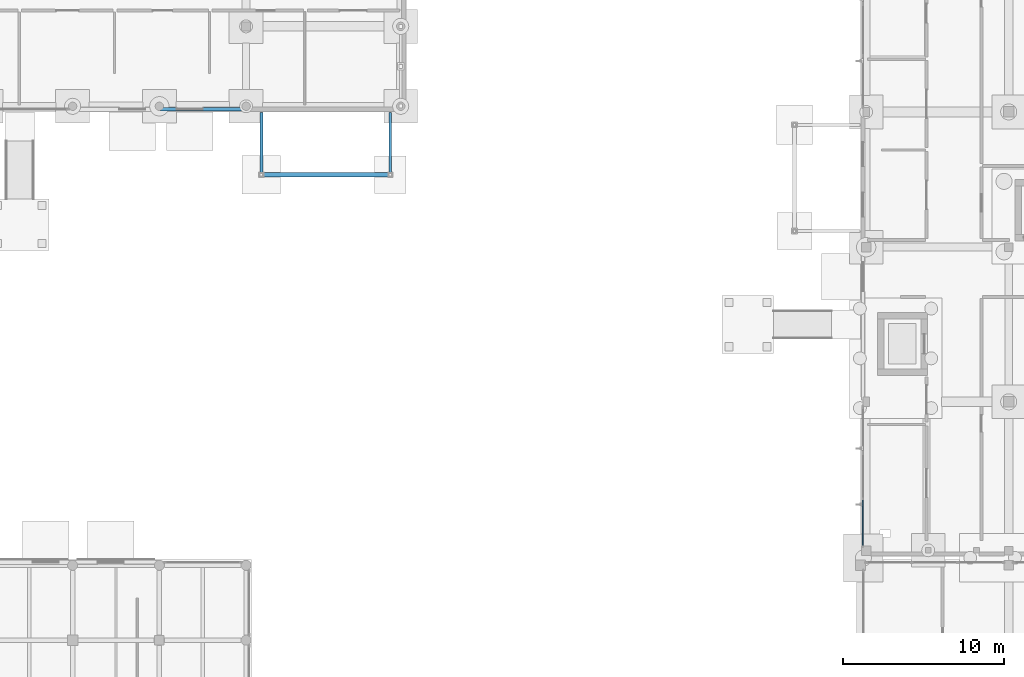
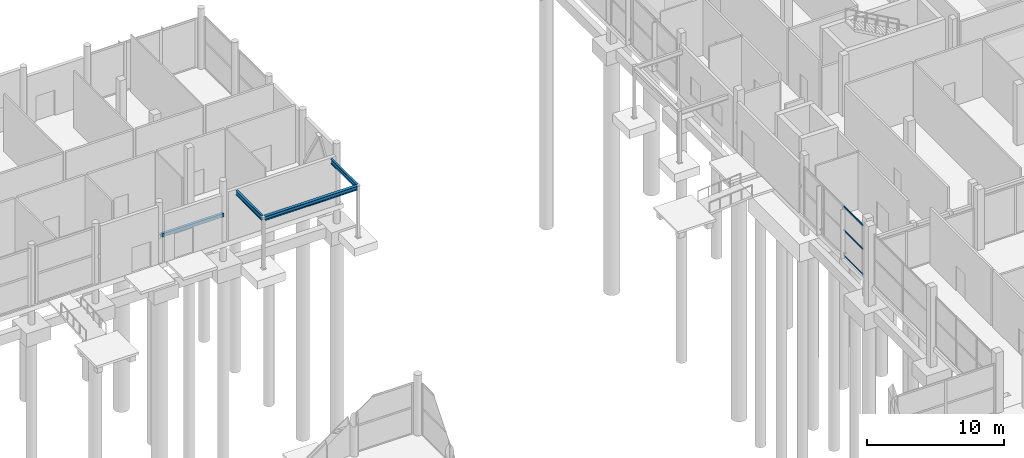
# One storey, part 36 of 88: 4 beams, 3 members, 1 element without a shape of its own.
"""IFC4 building model written with IfcOpenShell, lengths in metres."""

import ifcopenshell
import ifcopenshell.guid

model = None  # the IFC model being written
_history = None  # IfcOwnerHistory: only IFC2X3 demands one
_inside = {}  # id of a spatial element -> (the spatial element, [elements in it])
_under = {}  # id of a project, library or spatial element -> (it, [spatial elements below it])
_declared = {}  # id of a project -> (the project, [libraries it declares])
_typed = {}  # id of a type object -> (the type object, [elements of that type])
_made_of = {}  # id of a material, layer set ... -> (it, [elements and type objects made of it])


def new_model(schema):
    """Start an empty IFC model of exactly this schema.

    Asked for "IFC4X3", IfcOpenShell would pick the latest addendum, in which some entities
    have other attributes; the version numbers below select the first issue.
    IFC2X3 requires an IfcOwnerHistory on every rooted entity: one is made here for all.
    """
    global model, _history
    if schema == "IFC4X3":
        model = ifcopenshell.file(schema_version=(4, 3, 0, 0))
    else:
        model = ifcopenshell.file(schema=schema)
    _inside.clear()
    _under.clear()
    _declared.clear()
    _typed.clear()
    _made_of.clear()
    _history = None
    if model.schema == "IFC2X3":
        org = make("IfcOrganization", Name="unknown")
        user = make(
            "IfcPersonAndOrganization",
            ThePerson=make("IfcPerson", FamilyName="unknown"),
            TheOrganization=org,
        )
        app = make(
            "IfcApplication",
            ApplicationDeveloper=org,
            Version="unknown",
            ApplicationFullName="unknown",
            ApplicationIdentifier="unknown",
        )
        _history = make(
            "IfcOwnerHistory",
            OwningUser=user,
            OwningApplication=app,
            ChangeAction="ADDED",
            CreationDate=0,
        )
    return model


def make(cls, **values):
    """One entity of the class cls with the attributes given. An attribute that is None is left unset."""
    return model.create_entity(
        cls, **{name: value for name, value in values.items() if value is not None}
    )


def rooted(cls, **values):
    """An entity with a GlobalId (a new one), such as an element, a storey or a relation."""
    return make(cls, GlobalId=ifcopenshell.guid.new(), OwnerHistory=_history, **values)


def si_unit(unit_type, name, prefix=None):
    """IfcSIUnit, for example si_unit("LENGTHUNIT", "METRE", prefix="MILLI")."""
    return make("IfcSIUnit", UnitType=unit_type, Prefix=prefix, Name=name)


def assignment(units):
    """IfcUnitAssignment: the units of a project."""
    return None if units is None else make("IfcUnitAssignment", Units=units)


def point(xyz):
    """IfcCartesianPoint."""
    return None if xyz is None else make("IfcCartesianPoint", Coordinates=xyz)


def direction(xyz):
    """IfcDirection."""
    return None if xyz is None else make("IfcDirection", DirectionRatios=xyz)


def frame(location, z_axis=None, x_axis=None):
    """IfcAxis2Placement3D, a coordinate frame: its origin and axes. An axis left out is left unset."""
    return make(
        "IfcAxis2Placement3D",
        Location=point(location),
        Axis=direction(z_axis),
        RefDirection=direction(x_axis),
    )


def frame_2d(location, x_axis=None):
    """IfcAxis2Placement2D, a coordinate frame in the plane: its origin and x axis."""
    return make(
        "IfcAxis2Placement2D", Location=point(location), RefDirection=direction(x_axis)
    )


def origin():
    """The frame at (0, 0, 0) with its axes left unset."""
    return frame((0.0, 0.0, 0.0))


def origin_2d():
    """The frame at (0, 0) in the plane with its x axis left unset."""
    return frame_2d((0.0, 0.0))


def place(relative_to, where):
    """IfcLocalPlacement: puts the frame where relative to a parent placement (None: the world)."""
    return make(
        "IfcLocalPlacement", PlacementRelTo=relative_to, RelativePlacement=where
    )


def context(
    kind, dimensions, precision=None, world=None, true_north=None, identifier=None
):
    """IfcGeometricRepresentationContext, for example the 3D "Model" context."""
    return make(
        "IfcGeometricRepresentationContext",
        ContextIdentifier=identifier,
        ContextType=kind,
        CoordinateSpaceDimension=dimensions,
        Precision=precision,
        WorldCoordinateSystem=world,
        TrueNorth=true_north,
    )


def subcontext(parent, identifier, kind, view, scale=None):
    """IfcGeometricRepresentationSubContext, for example "Body" below "Model"."""
    return make(
        "IfcGeometricRepresentationSubContext",
        ContextIdentifier=identifier,
        ContextType=kind,
        ParentContext=parent,
        TargetScale=scale,
        TargetView=view,
    )


def project(units=None, contexts=None):
    """IfcProject with its units and contexts."""
    return rooted(
        "IfcProject",
        Name="project",
        RepresentationContexts=contexts,
        UnitsInContext=assignment(units),
    )


def spatial(cls, under=None, at=None, **own):
    """A site, building, storey or space (cls), placed at a placement, below another one or the project."""
    s = rooted(cls, ObjectPlacement=at, **own)
    if under is not None:
        _under.setdefault(under.id(), (under, []))[1].append(s)
    return s


def profile(cls, at=None, kind="AREA", **sizes):
    """A parametric profile (cls). Its sizes go by their IFC names, for example OverallWidth=200.0."""
    return make(cls, ProfileType=kind, Position=at, **sizes)


def rectangle(**sizes):
    """IfcRectangleProfileDef."""
    return profile("IfcRectangleProfileDef", **sizes)


def i_section(**sizes):
    """IfcIShapeProfileDef."""
    return profile("IfcIShapeProfileDef", **sizes)


def extrude(swept, where, along, depth):
    """IfcExtrudedAreaSolid: the profile swept, set in the frame where, extruded along a direction by depth."""
    return make(
        "IfcExtrudedAreaSolid",
        SweptArea=swept,
        Position=where,
        ExtrudedDirection=direction(along),
        Depth=depth,
    )


def shape(context_of_items, identifier, shape_type, items):
    """IfcShapeRepresentation: the items that make up one representation, for example the "Body"."""
    return make(
        "IfcShapeRepresentation",
        ContextOfItems=context_of_items,
        RepresentationIdentifier=identifier,
        RepresentationType=shape_type,
        Items=items,
    )


def material(Name=None, Category=None):
    """IfcMaterial."""
    return make("IfcMaterial", Name=Name, Category=Category)


def layer(
    of_material, thickness, ventilated=None, Name=None, Category=None, Priority=None
):
    """IfcMaterialLayer: one layer of a wall or slab, of a material (None: an air gap)."""
    return make(
        "IfcMaterialLayer",
        Material=of_material,
        LayerThickness=thickness,
        IsVentilated=ventilated,
        Name=Name,
        Category=Category,
        Priority=Priority,
    )


def layer_set(layers, Name=None):
    """IfcMaterialLayerSet."""
    return make("IfcMaterialLayerSet", MaterialLayers=layers, LayerSetName=Name)


def material_profile(
    of_material, cross_section, Name=None, Category=None, Priority=None
):
    """IfcMaterialProfile: a cross section and its material."""
    return make(
        "IfcMaterialProfile",
        Name=Name,
        Material=of_material,
        Profile=cross_section,
        Priority=Priority,
        Category=Category,
    )


def profile_set(profiles, Name=None, composite=None):
    """IfcMaterialProfileSet."""
    return make(
        "IfcMaterialProfileSet",
        Name=Name,
        MaterialProfiles=profiles,
        CompositeProfile=composite,
    )


def made_of(thing, what):
    """Note that an element or type object is made of a material, layer set ...; save() writes the relation."""
    if what is not None:
        _made_of.setdefault(what.id(), (what, []))[1].append(thing)
    return thing


def type_object(cls, material=None, **own):
    """A type object (cls), such as IfcWallType, which elements share."""
    return made_of(rooted(cls, **own), material)


def element(
    cls,
    number,
    at=None,
    inside=None,
    cuts=None,
    type_object=None,
    material=None,
    context=None,
    identifier="Body",
    shape_type=None,
    held_by="IfcProductDefinitionShape",
    body=None,
    shapes=None,
    **own,
):
    """One element of the class cls, such as IfcWall. Its Tag is "e" and its number.

    at: its placement. inside: the storey or other place that contains it. cuts: it is an
    opening in that element (IfcRelVoidsElement). A single representation is given by context,
    identifier, shape_type and body (its items); several are given by shapes. held_by: the class
    of the entity that holds the representations. save() writes the other relations.
    """
    e = rooted(cls, Tag="e%d" % number, ObjectPlacement=at, **own)
    if body is not None:
        shapes = [shape(context, identifier, shape_type, body)]
    if shapes is not None:
        e.Representation = make(held_by, Representations=shapes)
    if inside is not None:
        _inside.setdefault(inside.id(), (inside, []))[1].append(e)
    if cuts is not None:
        rooted(
            "IfcRelVoidsElement", RelatingBuildingElement=cuts, RelatedOpeningElement=e
        )
    if type_object is not None:
        _typed.setdefault(type_object.id(), (type_object, []))[1].append(e)
    return made_of(e, material)


def aggregate(whole, parts):
    """IfcRelAggregates: a whole, such as a stair, and the parts it consists of."""
    return rooted("IfcRelAggregates", RelatingObject=whole, RelatedObjects=parts)


def save(model, path):
    """Write the relations noted so far, then the file.

    IfcRelAggregates (storeys below a building ...), IfcRelContainedInSpatialStructure (elements
    in a storey), IfcRelDefinesByType, IfcRelAssociatesMaterial and IfcRelDeclares: one each for
    every whole, place, type object, material and project.
    """
    for whole, parts in _under.values():
        aggregate(whole, parts)
    for where, things in _inside.values():
        rooted(
            "IfcRelContainedInSpatialStructure",
            RelatedElements=things,
            RelatingStructure=where,
        )
    for kind, things in _typed.values():
        rooted("IfcRelDefinesByType", RelatedObjects=things, RelatingType=kind)
    for what, things in _made_of.values():
        rooted("IfcRelAssociatesMaterial", RelatedObjects=things, RelatingMaterial=what)
    for by, libraries in _declared.values():
        rooted("IfcRelDeclares", RelatingContext=by, RelatedDefinitions=libraries)
    model.write(path)


model = new_model("IFC4")

# Units and contexts
model_context = context("Model", 3, precision=1e-05, world=origin(), true_north=direction((0.0, 1.0)))
body_context = subcontext(model_context, "Body", "Model", "MODEL_VIEW")
ifc_project = project(units=[si_unit("LENGTHUNIT", "METRE"), si_unit("AREAUNIT", "SQUARE_METRE"), si_unit("VOLUMEUNIT", "CUBIC_METRE"), si_unit("PLANEANGLEUNIT", "RADIAN"), si_unit("MASSUNIT", "GRAM", prefix="KILO")], contexts=[model_context])

# Site, building, storey
site_placement = place(None, origin())
site = spatial("IfcSite", under=ifc_project, at=site_placement, CompositionType="ELEMENT")
building_placement = place(site_placement, origin())
building = spatial("IfcBuilding", under=site, at=building_placement, Name="Birchvale Park Specialist Clinic", CompositionType="ELEMENT")
storey_placement = place(building_placement, origin())
storey = spatial("IfcBuildingStorey", under=building, at=storey_placement, Name="L00", CompositionType="ELEMENT", Elevation=0.0)

# Curtain wall, members
ifc_material_1 = material(Name="Thermally broken anodised aluminium", Category="aluminium")
ifc_layer = layer(ifc_material_1, 0.2099609375)
ifc_layer_set = layer_set([ifc_layer], Name="Thermally broken anodised aluminium")
curtain_wall_type = type_object("IfcCurtainWallType", Name="CW-U3", PredefinedType="USERDEFINED", material=ifc_layer_set)
curtain_wall_placement = place(storey_placement, origin())
curtain_wall = element("IfcCurtainWall", 1, at=curtain_wall_placement, inside=storey, type_object=curtain_wall_type, Name="V6 L00 glazed curtain wall 67", ObjectType="UNITISED", PredefinedType="USERDEFINED")
ifc_material_profile_1 = material_profile(ifc_material_1, rectangle(XDim=0.070068359375, YDim=0.14990234375, at=origin_2d()), Name="CWT-70x150")
ifc_profile_set_1 = profile_set([ifc_material_profile_1], Name="Thermally broken anodised aluminium")
member_type = type_object("IfcMemberType", Name="CWT3", PredefinedType="USERDEFINED", material=ifc_profile_set_1)
member_1_placement = place(storey_placement, frame((128.14501953125, 67.094970703125, 0.034912109375), z_axis=(0.0, -1.0, 0.0), x_axis=(1.0, 0.0, 0.0)))
member_1 = element("IfcMember", 2, at=member_1_placement, type_object=member_type, Name="CW transom 3.1", ObjectType="TRANSOM", PredefinedType="USERDEFINED", context=body_context, shape_type="SweptSolid", body=[
    extrude(rectangle(XDim=0.070068359375, YDim=0.14990234375, at=origin_2d()), origin(), (0.0, 0.0, 1.0), 2.784912109375),
])
member_2_placement = place(storey_placement, frame((128.14501953125, 67.094970703125, 2.311279296875), z_axis=(0.0, -1.0, 0.0), x_axis=(1.0, 0.0, 0.0)))
member_2 = element("IfcMember", 3, at=member_2_placement, type_object=member_type, Name="CW transom 3.2", ObjectType="TRANSOM", PredefinedType="USERDEFINED", context=body_context, shape_type="SweptSolid", body=[
    extrude(rectangle(XDim=0.070068359375, YDim=0.14990234375, at=origin_2d()), origin(), (0.0, 0.0, 1.0), 2.784912109375),
])
member_3_placement = place(storey_placement, frame((128.14501953125, 67.094970703125, 4.409912109375), z_axis=(0.0, -1.0, 0.0), x_axis=(1.0, 0.0, 0.0)))
member_3 = element("IfcMember", 4, at=member_3_placement, type_object=member_type, Name="CW transom 3.3", ObjectType="TRANSOM", PredefinedType="USERDEFINED", context=body_context, shape_type="SweptSolid", body=[
    extrude(rectangle(XDim=0.070068359375, YDim=0.14990234375, at=origin_2d()), origin(), (0.0, 0.0, 1.0), 2.784912109375),
])
aggregate(curtain_wall, [member_1, member_2, member_3])

# Beams
ifc_material_2 = material(Name="Concrete C40/50", Category="concrete")
ifc_material_profile_2 = material_profile(ifc_material_2, rectangle(XDim=0.219970703125, YDim=0.300048828125, at=origin_2d()), Name="LNT-220x300")
ifc_profile_set_2 = profile_set([ifc_material_profile_2], Name="Concrete C40/50")
beam_type_1 = type_object("IfcBeamType", Name="LNT-EXT-LN2", PredefinedType="LINTEL", material=ifc_profile_set_2)
beam_1_placement = place(storey_placement, frame((84.539306640625, 91.364990234375, 2.419921875), z_axis=(1.0, 0.0, 0.0), x_axis=(0.0, 1.0, 0.0)))
element("IfcBeam", 5, at=beam_1_placement, inside=storey, type_object=beam_type_1, Name="V3 L00 exit opening lintel 11", PredefinedType="LINTEL", context=body_context, shape_type="SweptSolid", body=[
    extrude(rectangle(XDim=0.219970703125, YDim=0.300048828125, at=origin_2d()), origin(), (0.0, 0.0, 1.0), 5.235595703125),
])
ifc_material_3 = material(Name="Steel ASTM A992 Grade 50", Category="steel")
ifc_material_profile_3 = material_profile(ifc_material_3, i_section(OverallWidth=0.178955078125, OverallDepth=0.409912109375, WebThickness=0.0087890625, FlangeThickness=0.014404296875, at=origin_2d()), Name="W16X45")
ifc_profile_set_3 = profile_set([ifc_material_profile_3], Name="Steel ASTM A992 Grade 50")
beam_type_2 = type_object("IfcBeamType", Name="STL-EXT-SB5", PredefinedType="BEAM", material=ifc_profile_set_3)
for number, where, z_axis, x_axis, name in (
    (6, (90.800048828125, 87.39990234375, 4.14501953125), (0.0, 1.0, 0.0), (-1.0, 0.0, 0.0), "L00 canopy tie beam 2.1"),
    (7, (98.800048828125, 87.39990234375, 4.14501953125), (0.0, 1.0, 0.0), (-1.0, 0.0, 0.0), "L00 canopy tie beam 2.2"),
):
    element("IfcBeam", number, at=place(storey_placement, frame(where, z_axis=z_axis, x_axis=x_axis)), inside=storey, type_object=beam_type_2, Name=name, PredefinedType="BEAM", context=body_context, shape_type="SweptSolid", body=[
        extrude(i_section(OverallWidth=0.178955078125, OverallDepth=0.409912109375, WebThickness=0.0087890625, FlangeThickness=0.014404296875, at=origin_2d()), origin(), (0.0, 0.0, 1.0), 3.780029296875),
    ])
ifc_material_profile_4 = material_profile(ifc_material_3, i_section(OverallWidth=0.25390625, OverallDepth=0.35595703125, WebThickness=0.010498046875, FlangeThickness=0.018310546875, at=origin_2d()), Name="W14X68")
ifc_profile_set_4 = profile_set([ifc_material_profile_4], Name="Steel ASTM A992 Grade 50")
beam_type_3 = type_object("IfcBeamType", Name="STL-EXT-SB6", PredefinedType="BEAM", material=ifc_profile_set_4)
beam_2_placement = place(storey_placement, frame((90.89990234375, 87.300048828125, 4.172119140625), z_axis=(1.0, 0.0, 0.0), x_axis=(0.0, 1.0, 0.0)))
element("IfcBeam", 8, at=beam_2_placement, inside=storey, type_object=beam_type_3, Name="L00 canopy front beam 2", PredefinedType="BEAM", context=body_context, shape_type="SweptSolid", body=[
    extrude(i_section(OverallWidth=0.25390625, OverallDepth=0.35595703125, WebThickness=0.010498046875, FlangeThickness=0.018310546875, at=origin_2d()), origin(), (0.0, 0.0, 1.0), 7.800048828125),
])

save(model, "model.ifc")
